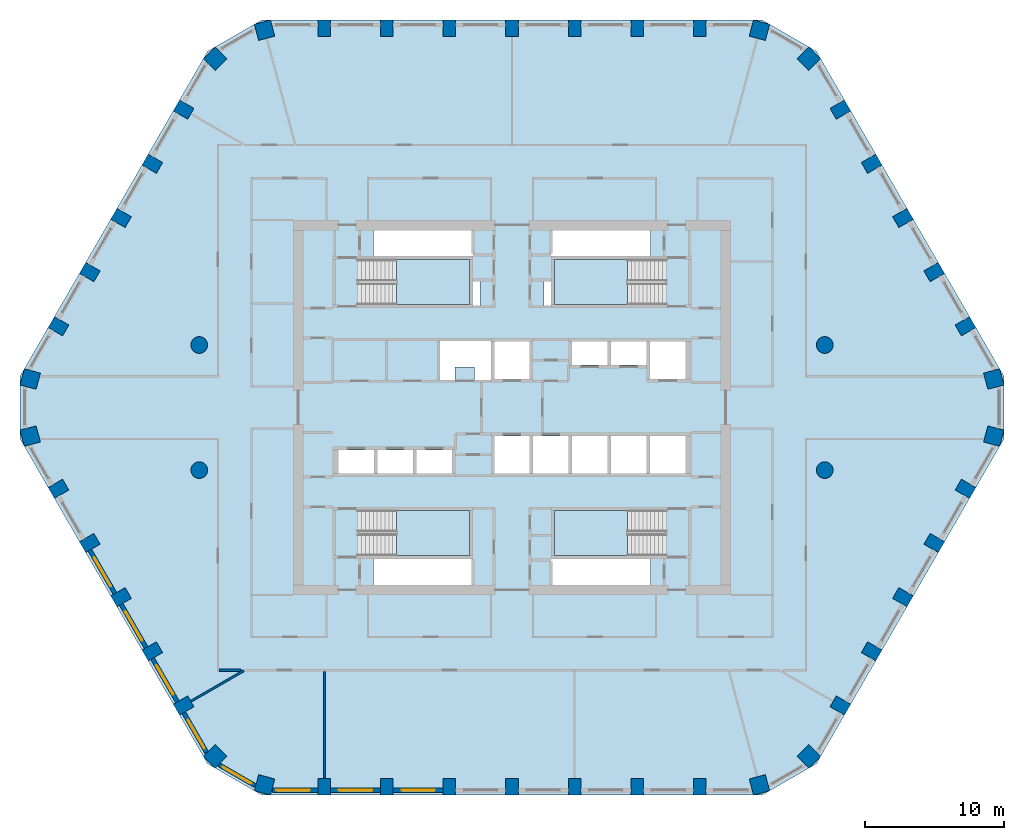
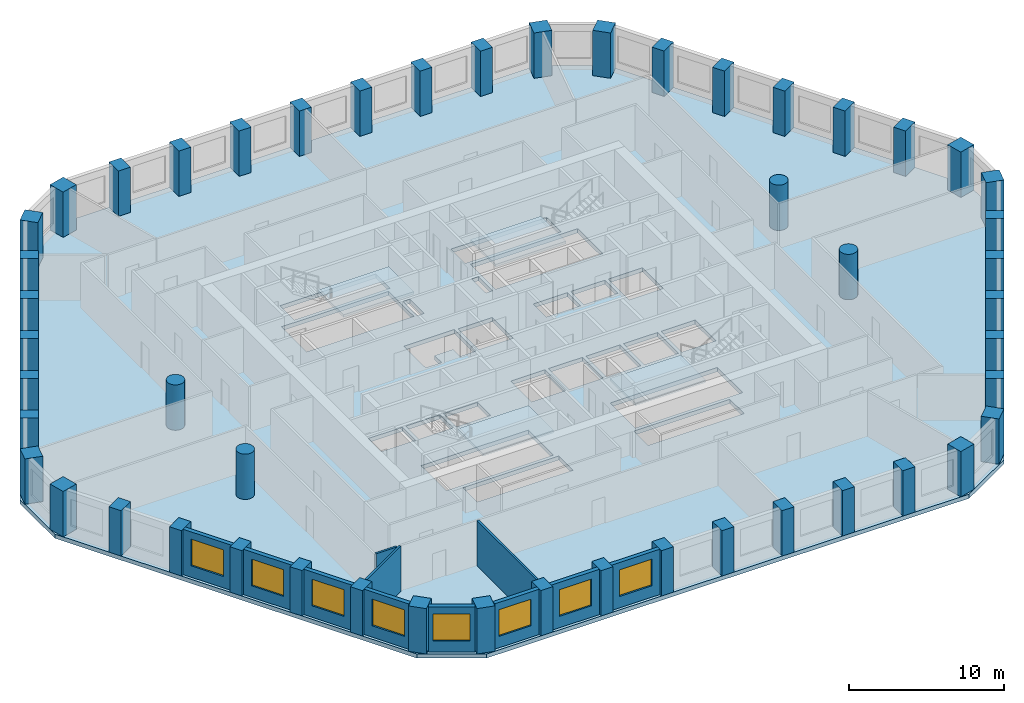
# One storey, part 1 of 10: 50 columns, 11 walls, 8 windows, 5 slabs, 8 openings, 4 elements without a shape of their own.
"""IFC4 building model written with IfcOpenShell, lengths in metres."""

from ifc_helpers import new_model, si_unit, direction, frame, frame_2d, origin, origin_2d, place, context, subcontext, project, spatial, polyline, rectangle, circle, outline, extrude, material, layer, layer_set, material_profile, profile_set, type_object, element, fill, aggregate, save


model = new_model("IFC4")

# Units and contexts
model_context = context("Model", 3, precision=1e-05, world=origin(), true_north=direction((0.0, 1.0)))
body_context = subcontext(model_context, "Body", "Model", "MODEL_VIEW")
ifc_project = project(units=[si_unit("LENGTHUNIT", "METRE"), si_unit("AREAUNIT", "SQUARE_METRE"), si_unit("VOLUMEUNIT", "CUBIC_METRE"), si_unit("PLANEANGLEUNIT", "RADIAN"), si_unit("MASSUNIT", "GRAM", prefix="KILO")], contexts=[model_context])

# Site, building, storey
site_placement = place(None, origin())
site = spatial("IfcSite", under=ifc_project, at=site_placement, CompositionType="ELEMENT")
building_placement = place(site_placement, origin())
building = spatial("IfcBuilding", under=site, at=building_placement, Name="Dhurran Vertical Campus", CompositionType="ELEMENT")
storey_placement = place(building_placement, frame((0.0, 0.0, 152.10009765625)))
storey = spatial("IfcBuildingStorey", under=building, at=storey_placement, Name="L37", CompositionType="ELEMENT", Elevation=152.10009765625)

# Columns
ifc_material_1 = material(Name="Concrete C60/75", Category="concrete")
ifc_material_profile_1 = material_profile(ifc_material_1, rectangle(XDim=1.199951171875, YDim=1.199951171875, at=origin_2d()), Name="RC 1200x1200")
ifc_profile_set_1 = profile_set([ifc_material_profile_1], Name="Concrete C60/75")
column_type_1 = type_object("IfcColumnType", Name="FR COL RC 1200x1200 C60/75", PredefinedType="COLUMN", material=ifc_profile_set_1)
for number, where, z_axis, x_axis, name in (
    (1, (-17.802978515625, -27.147705078125, 0.0), (0.0, 0.0, 1.0), (0.965925826289, -0.258819045103, 0.0), "Perimeter pier PP3.00"),
    (2, (17.802978515625, -27.147705078125, 0.0), (0.0, 0.0, 1.0), (0.965925826289, 0.258819045103, 0.0), "Perimeter pier PP3.08"),
    (3, (21.359130859375, -25.0947265625, 0.0), (0.0, 0.0, 1.0), (0.707106781187, 0.707106781187, 0.0), "Perimeter pier PP3.09"),
    (4, (34.662353515625, -2.052978515625, 0.0), (0.0, 0.0, 1.0), (0.258819045103, 0.965925826289, 0.0), "Perimeter pier PP3.15"),
    (5, (34.662353515625, 2.052978515625, 0.0), (0.0, 0.0, 1.0), (-0.258819045103, 0.965925826289, 0.0), "Perimeter pier PP3.16"),
    (6, (21.359130859375, 25.0947265625, 0.0), (0.0, 0.0, 1.0), (-0.707106781187, 0.707106781187, 0.0), "Perimeter pier PP3.22"),
    (7, (17.802978515625, 27.147705078125, 0.0), (0.0, 0.0, 1.0), (-0.965925826289, 0.258819045103, 0.0), "Perimeter pier PP3.23"),
    (8, (-17.802978515625, 27.147705078125, 0.0), (0.0, 0.0, 1.0), (-0.965925826289, -0.258819045103, 0.0), "Perimeter pier PP3.31"),
    (9, (-21.359130859375, 25.0947265625, 0.0), (0.0, 0.0, 1.0), (-0.707106781187, -0.707106781187, 0.0), "Perimeter pier PP3.32"),
    (10, (-34.662353515625, 2.052978515625, 0.0), (0.0, 0.0, 1.0), (-0.258819045103, -0.965925826289, 0.0), "Perimeter pier PP3.38"),
    (11, (-34.662353515625, -2.052978515625, 0.0), (0.0, 0.0, 1.0), (0.258819045103, -0.965925826289, 0.0), "Perimeter pier PP3.39"),
    (12, (-21.359130859375, -25.0947265625, 0.0), (0.0, 0.0, 1.0), (0.707106781187, -0.707106781187, 0.0), "Perimeter pier PP3.45"),
):
    element("IfcColumn", number, at=place(storey_placement, frame(where, z_axis=z_axis, x_axis=x_axis)), inside=storey, type_object=column_type_1, Name=name, PredefinedType="COLUMN", context=body_context, shape_type="SweptSolid", body=[
        extrude(rectangle(XDim=1.199951171875, YDim=1.199951171875, at=origin_2d()), origin(), (0.0, 0.0, 1.0), 3.574951171875),
    ])
ifc_material_2 = material(Name="Concrete C60/75", Category="concrete")
ifc_material_profile_2 = material_profile(ifc_material_2, rectangle(XDim=0.89990234375, YDim=1.199951171875, at=origin_2d()), Name="RC 900x1200")
ifc_profile_set_2 = profile_set([ifc_material_profile_2], Name="Concrete C60/75")
column_type_2 = type_object("IfcColumnType", Name="FR COL RC 900x1200 C60/75", PredefinedType="COLUMN", material=ifc_profile_set_2)
for number, where, z_axis, x_axis, name in (
    (13, (-13.5, -27.28271484375, 0.0), (0.0, 0.0, 1.0), (1.0, 0.0, 0.0), "Perimeter pier PP3.01"),
    (14, (-9.0, -27.28271484375, 0.0), (0.0, 0.0, 1.0), (1.0, 0.0, 0.0), "Perimeter pier PP3.02"),
    (15, (-4.5, -27.28271484375, 0.0), (0.0, 0.0, 1.0), (1.0, 0.0, 0.0), "Perimeter pier PP3.03"),
    (16, (0.0, -27.28271484375, 0.0), (0.0, 0.0, 1.0), (1.0, 0.0, 0.0), "Perimeter pier PP3.04"),
    (17, (4.5, -27.28271484375, 0.0), (0.0, 0.0, 1.0), (1.0, 0.0, 0.0), "Perimeter pier PP3.05"),
    (18, (9.0, -27.28271484375, 0.0), (0.0, 0.0, 1.0), (1.0, 0.0, 0.0), "Perimeter pier PP3.06"),
    (19, (13.5, -27.28271484375, 0.0), (0.0, 0.0, 1.0), (1.0, 0.0, 0.0), "Perimeter pier PP3.07"),
    (20, (23.62744140625, -21.435546875, 0.0), (0.0, 0.0, 1.0), (0.5, 0.866025403784, 0.0), "Perimeter pier PP3.10"),
    (21, (25.87744140625, -17.53857421875, 0.0), (0.0, 0.0, 1.0), (0.5, 0.866025403784, 0.0), "Perimeter pier PP3.11"),
    (22, (28.12744140625, -13.641357421875, 0.0), (0.0, 0.0, 1.0), (0.5, 0.866025403784, 0.0), "Perimeter pier PP3.12"),
    (23, (30.37744140625, -9.744140625, 0.0), (0.0, 0.0, 1.0), (0.5, 0.866025403784, 0.0), "Perimeter pier PP3.13"),
    (24, (32.62744140625, -5.84716796875, 0.0), (0.0, 0.0, 1.0), (0.5, 0.866025403784, 0.0), "Perimeter pier PP3.14"),
    (25, (32.62744140625, 5.84716796875, 0.0), (0.0, 0.0, 1.0), (-0.5, 0.866025403784, 0.0), "Perimeter pier PP3.17"),
    (26, (30.37744140625, 9.744140625, 0.0), (0.0, 0.0, 1.0), (-0.5, 0.866025403784, 0.0), "Perimeter pier PP3.18"),
    (27, (28.12744140625, 13.641357421875, 0.0), (0.0, 0.0, 1.0), (-0.5, 0.866025403784, 0.0), "Perimeter pier PP3.19"),
    (28, (25.87744140625, 17.53857421875, 0.0), (0.0, 0.0, 1.0), (-0.5, 0.866025403784, 0.0), "Perimeter pier PP3.20"),
    (29, (23.62744140625, 21.435546875, 0.0), (0.0, 0.0, 1.0), (-0.5, 0.866025403784, 0.0), "Perimeter pier PP3.21"),
    (30, (13.5, 27.28271484375, 0.0), (0.0, 0.0, 1.0), (-1.0, 0.0, 0.0), "Perimeter pier PP3.24"),
    (31, (9.0, 27.28271484375, 0.0), (0.0, 0.0, 1.0), (-1.0, 0.0, 0.0), "Perimeter pier PP3.25"),
    (32, (4.5, 27.28271484375, 0.0), (0.0, 0.0, 1.0), (-1.0, 0.0, 0.0), "Perimeter pier PP3.26"),
    (33, (0.0, 27.28271484375, 0.0), (0.0, 0.0, 1.0), (-1.0, 0.0, 0.0), "Perimeter pier PP3.27"),
    (34, (-4.5, 27.28271484375, 0.0), (0.0, 0.0, 1.0), (-1.0, 0.0, 0.0), "Perimeter pier PP3.28"),
    (35, (-9.0, 27.28271484375, 0.0), (0.0, 0.0, 1.0), (-1.0, 0.0, 0.0), "Perimeter pier PP3.29"),
    (36, (-13.5, 27.28271484375, 0.0), (0.0, 0.0, 1.0), (-1.0, 0.0, 0.0), "Perimeter pier PP3.30"),
    (37, (-23.62744140625, 21.435546875, 0.0), (0.0, 0.0, 1.0), (-0.5, -0.866025403784, 0.0), "Perimeter pier PP3.33"),
    (38, (-25.87744140625, 17.53857421875, 0.0), (0.0, 0.0, 1.0), (-0.5, -0.866025403784, 0.0), "Perimeter pier PP3.34"),
    (39, (-28.12744140625, 13.641357421875, 0.0), (0.0, 0.0, 1.0), (-0.5, -0.866025403784, 0.0), "Perimeter pier PP3.35"),
    (40, (-30.37744140625, 9.744140625, 0.0), (0.0, 0.0, 1.0), (-0.5, -0.866025403784, 0.0), "Perimeter pier PP3.36"),
    (41, (-32.62744140625, 5.84716796875, 0.0), (0.0, 0.0, 1.0), (-0.5, -0.866025403784, 0.0), "Perimeter pier PP3.37"),
    (42, (-32.62744140625, -5.84716796875, 0.0), (0.0, 0.0, 1.0), (0.5, -0.866025403784, 0.0), "Perimeter pier PP3.40"),
    (43, (-30.37744140625, -9.744140625, 0.0), (0.0, 0.0, 1.0), (0.5, -0.866025403784, 0.0), "Perimeter pier PP3.41"),
    (44, (-28.12744140625, -13.641357421875, 0.0), (0.0, 0.0, 1.0), (0.5, -0.866025403784, 0.0), "Perimeter pier PP3.42"),
    (45, (-25.87744140625, -17.53857421875, 0.0), (0.0, 0.0, 1.0), (0.5, -0.866025403784, 0.0), "Perimeter pier PP3.43"),
    (46, (-23.62744140625, -21.435546875, 0.0), (0.0, 0.0, 1.0), (0.5, -0.866025403784, 0.0), "Perimeter pier PP3.44"),
):
    element("IfcColumn", number, at=place(storey_placement, frame(where, z_axis=z_axis, x_axis=x_axis)), inside=storey, type_object=column_type_2, Name=name, PredefinedType="COLUMN", context=body_context, shape_type="SweptSolid", body=[
        extrude(rectangle(XDim=0.89990234375, YDim=1.199951171875, at=origin_2d()), origin(), (0.0, 0.0, 1.0), 3.574951171875),
    ])
ifc_material_3 = material(Name="Concrete C60/75", Category="concrete")
ifc_material_profile_3 = material_profile(ifc_material_3, circle(Radius=0.60009765625, at=origin_2d()), Name="RCC D1200")
ifc_profile_set_3 = profile_set([ifc_material_profile_3], Name="Concrete C60/75")
column_type_3 = type_object("IfcColumnType", Name="FR COL RCC D1200 C60/75", PredefinedType="COLUMN", material=ifc_profile_set_3)
for number, where, z_axis, x_axis, name in (
    (47, (-22.5, -4.5, 0.0), (0.0, 0.0, 1.0), (1.0, 0.0, 0.0), "Inner column IC3-D5"),
    (48, (-22.5, 4.5, 0.0), (0.0, 0.0, 1.0), (1.0, 0.0, 0.0), "Inner column IC3-D6"),
    (49, (22.5, -4.5, 0.0), (0.0, 0.0, 1.0), (1.0, 0.0, 0.0), "Inner column IC3-J5"),
    (50, (22.5, 4.5, 0.0), (0.0, 0.0, 1.0), (1.0, 0.0, 0.0), "Inner column IC3-J6"),
):
    element("IfcColumn", number, at=place(storey_placement, frame(where, z_axis=z_axis, x_axis=x_axis)), inside=storey, type_object=column_type_3, Name=name, PredefinedType="COLUMN", context=body_context, shape_type="SweptSolid", body=[
        extrude(circle(Radius=0.60009765625, at=origin_2d()), origin(), (0.0, 0.0, 1.0), 3.574951171875),
    ])

# Slab
ifc_material_4 = material(Name="Concrete C40/50", Category="concrete")
ifc_layer_1 = layer(ifc_material_4, 0.324951171875)
ifc_layer_set_1 = layer_set([ifc_layer_1], Name="Concrete C40/50")
slab_type_1 = type_object("IfcSlabType", Name="FR POST-TENSIONED FLAT SLAB 325", PredefinedType="FLOOR", material=ifc_layer_set_1)
slab_1_placement = place(storey_placement, frame((0.0, 0.0, -0.3251953125)))
element("IfcSlab", 51, at=slab_1_placement, inside=storey, type_object=slab_type_1, Name="Floor slab L37", PredefinedType="FLOOR", context=body_context, shape_type="SweptSolid", body=[
    extrude(outline(polyline([(-18.0, -27.8828125), (18.0, -27.8828125), (21.897216796875, -25.6328125), (35.397216796875, -2.25), (35.397216796875, 2.25), (21.897216796875, 25.6328125), (18.0, 27.8828125), (-18.0, 27.8828125), (-21.897216796875, 25.6328125), (-35.397216796875, 2.25), (-35.397216796875, -2.25), (-21.897216796875, -25.6328125), (-18.0, -27.8828125)]), holes=[polyline([(-1.27490234375, 2.050048828125), (1.27490234375, 2.050048828125), (1.27490234375, 4.75), (-1.27490234375, 4.75), (-1.27490234375, 2.050048828125)]), polyline([(9.925048828125, 2.050048828125), (12.47509765625, 2.050048828125), (12.47509765625, 4.75), (9.925048828125, 4.75), (9.925048828125, 2.050048828125)]), polyline([(-1.27490234375, -4.75), (1.27490234375, -4.75), (1.27490234375, -2.050048828125), (-1.27490234375, -2.050048828125), (-1.27490234375, -4.75)]), polyline([(1.52490234375, -4.75), (4.074951171875, -4.75), (4.074951171875, -2.050048828125), (1.52490234375, -2.050048828125), (1.52490234375, -4.75)]), polyline([(4.324951171875, -4.75), (6.875, -4.75), (6.875, -2.050048828125), (4.324951171875, -2.050048828125), (4.324951171875, -4.75)]), polyline([(7.125, -4.75), (9.675048828125, -4.75), (9.675048828125, -2.050048828125), (7.125, -2.050048828125), (7.125, -4.75)]), polyline([(9.925048828125, -4.75), (12.47509765625, -4.75), (12.47509765625, -2.050048828125), (9.925048828125, -2.050048828125), (9.925048828125, -4.75)]), polyline([(4.324951171875, 3.050048828125), (6.875, 3.050048828125), (6.875, 4.75), (4.324951171875, 4.75), (4.324951171875, 3.050048828125)]), polyline([(7.125, 3.050048828125), (9.675048828125, 3.050048828125), (9.675048828125, 4.75), (7.125, 4.75), (7.125, 3.050048828125)]), polyline([(-12.47509765625, -4.75), (-9.925048828125, -4.75), (-9.925048828125, -3.050048828125), (-12.47509765625, -3.050048828125), (-12.47509765625, -4.75)]), polyline([(-9.675048828125, -4.75), (-7.125, -4.75), (-7.125, -3.050048828125), (-9.675048828125, -3.050048828125), (-9.675048828125, -4.75)]), polyline([(-6.875, -4.75), (-4.324951171875, -4.75), (-4.324951171875, -3.050048828125), (-6.875, -3.050048828125), (-6.875, -4.75)]), polyline([(-11.050048828125, 7.39990234375), (-3.050048828125, 7.39990234375), (-3.050048828125, 10.64990234375), (-11.050048828125, 10.64990234375), (-11.050048828125, 7.39990234375)]), polyline([(3.050048828125, 7.39990234375), (11.050048828125, 7.39990234375), (11.050048828125, 10.64990234375), (3.050048828125, 10.64990234375), (3.050048828125, 7.39990234375)]), polyline([(-11.050048828125, -10.64990234375), (-3.050048828125, -10.64990234375), (-3.050048828125, -7.39990234375), (-11.050048828125, -7.39990234375), (-11.050048828125, -10.64990234375)]), polyline([(3.050048828125, -10.64990234375), (11.050048828125, -10.64990234375), (11.050048828125, -7.39990234375), (3.050048828125, -7.39990234375), (3.050048828125, -10.64990234375)]), polyline([(-9.949951171875, 10.89990234375), (-9.949951171875, 12.75), (-2.800048828125, 12.75), (-2.800048828125, 10.89990234375), (-9.949951171875, 10.89990234375)]), polyline([(9.949951171875, 12.75), (9.949951171875, 10.89990234375), (2.800048828125, 10.89990234375), (2.800048828125, 12.75), (9.949951171875, 12.75)]), polyline([(-9.949951171875, -12.75), (-9.949951171875, -10.89990234375), (-2.800048828125, -10.89990234375), (-2.800048828125, -12.75), (-9.949951171875, -12.75)]), polyline([(9.949951171875, -10.89990234375), (9.949951171875, -12.75), (2.800048828125, -12.75), (2.800048828125, -10.89990234375), (9.949951171875, -10.89990234375)]), polyline([(-2.300048828125, 9.18603515625), (-2.300048828125, 7.35009765625), (-2.800048828125, 7.35009765625), (-2.800048828125, 9.18603515625), (-2.300048828125, 9.18603515625)]), polyline([(2.300048828125, 7.35009765625), (2.300048828125, 9.18603515625), (2.800048828125, 9.18603515625), (2.800048828125, 7.35009765625), (2.300048828125, 7.35009765625)]), polyline([(-1.52490234375, 4.800048828125), (-1.52490234375, 2.0), (-2.701904296875, 2.0), (-2.701904296875, 2.89990234375), (-4.101806640625, 2.89990234375), (-4.101806640625, 2.0), (-5.27880859375, 2.0), (-5.27880859375, 4.800048828125), (-1.52490234375, 4.800048828125)])]), origin(), (0.0, 0.0, 1.0), 0.3251953125),
])

# Stair, slab
ifc_material_5 = material(Name="Concrete C40/50", Category="concrete")
stair_type = type_object("IfcStairType", Name="co-ST-CORE", PredefinedType="HALF_TURN_STAIR", material=ifc_material_5)
stair_1_placement = place(storey_placement, origin())
stair_1 = element("IfcStair", 52, at=stair_1_placement, inside=storey, type_object=stair_type, Name="L37 Protected exit stair ST1", PredefinedType="HALF_TURN_STAIR")
ifc_material_6 = material(Name="Concrete C40/50", Category="concrete")
ifc_layer_2 = layer(ifc_material_6, 0.199951171875)
ifc_layer_set_2 = layer_set([ifc_layer_2], Name="Concrete C40/50")
slab_type_2 = type_object("IfcSlabType", Name="co-SL-LANDING", PredefinedType="LANDING", material=ifc_layer_set_2)
slab_2_placement = place(storey_placement, frame((0.0, 0.0, 1.75)))
slab_2 = element("IfcSlab", 53, at=slab_2_placement, type_object=slab_type_2, Name="ST1 landing 1", PredefinedType="LANDING", context=body_context, shape_type="SweptSolid", body=[
    extrude(outline(polyline([(-8.300048828125, 7.39990234375), (-3.050048828125, 7.39990234375), (-3.050048828125, 10.64990234375), (-8.300048828125, 10.64990234375), (-8.300048828125, 7.39990234375)])), origin(), (0.0, 0.0, 1.0), 0.199951171875),
])
aggregate(stair_1, [slab_2])

stair_2_placement = place(storey_placement, origin())
stair_2 = element("IfcStair", 54, at=stair_2_placement, inside=storey, type_object=stair_type, Name="L37 Protected exit stair ST2", PredefinedType="HALF_TURN_STAIR")
slab_3_placement = place(storey_placement, frame((0.0, 0.0, 1.75)))
slab_3 = element("IfcSlab", 55, at=slab_3_placement, type_object=slab_type_2, Name="ST2 landing 1", PredefinedType="LANDING", context=body_context, shape_type="SweptSolid", body=[
    extrude(outline(polyline([(8.300048828125, 10.64990234375), (3.050048828125, 10.64990234375), (3.050048828125, 7.39990234375), (8.300048828125, 7.39990234375), (8.300048828125, 10.64990234375)])), origin(), (0.0, 0.0, 1.0), 0.199951171875),
])
aggregate(stair_2, [slab_3])

stair_3_placement = place(storey_placement, origin())
stair_3 = element("IfcStair", 56, at=stair_3_placement, inside=storey, type_object=stair_type, Name="L37 Protected exit stair ST3", PredefinedType="HALF_TURN_STAIR")
slab_4_placement = place(storey_placement, frame((0.0, 0.0, 1.75)))
slab_4 = element("IfcSlab", 57, at=slab_4_placement, type_object=slab_type_2, Name="ST3 landing 1", PredefinedType="LANDING", context=body_context, shape_type="SweptSolid", body=[
    extrude(outline(polyline([(-8.300048828125, -10.64990234375), (-3.050048828125, -10.64990234375), (-3.050048828125, -7.39990234375), (-8.300048828125, -7.39990234375), (-8.300048828125, -10.64990234375)])), origin(), (0.0, 0.0, 1.0), 0.199951171875),
])
aggregate(stair_3, [slab_4])

stair_4_placement = place(storey_placement, origin())
stair_4 = element("IfcStair", 58, at=stair_4_placement, inside=storey, type_object=stair_type, Name="L37 Protected exit stair ST4", PredefinedType="HALF_TURN_STAIR")
slab_5_placement = place(storey_placement, frame((0.0, 0.0, 1.75)))
slab_5 = element("IfcSlab", 59, at=slab_5_placement, type_object=slab_type_2, Name="ST4 landing 1", PredefinedType="LANDING", context=body_context, shape_type="SweptSolid", body=[
    extrude(outline(polyline([(8.300048828125, -7.39990234375), (3.050048828125, -7.39990234375), (3.050048828125, -10.64990234375), (8.300048828125, -10.64990234375), (8.300048828125, -7.39990234375)])), origin(), (0.0, 0.0, 1.0), 0.199951171875),
])
aggregate(stair_4, [slab_5])

# Wall, opening, window
ifc_material_7 = material(Name="Precast concrete C50/60", Category="concrete")
ifc_layer_3 = layer(ifc_material_7, 0.300048828125)
ifc_layer_set_3 = layer_set([ifc_layer_3], Name="Precast concrete C50/60")
wall_type_1 = type_object("IfcWallType", Name="Precast spandrel wall 300", PredefinedType="SOLIDWALL", material=ifc_layer_set_3)
wall_1_placement = place(storey_placement, frame((-17.24462890625, -27.53271484375, 0.0), z_axis=(0.0, 0.0, 1.0), x_axis=(1.0, 0.0, 0.0)))
wall_1 = element("IfcWall", 60, at=wall_1_placement, inside=storey, type_object=wall_type_1, Name="EW1 L37.00", PredefinedType="SOLIDWALL", context=body_context, shape_type="SweptSolid", body=[
    extrude(rectangle(XDim=3.294189453125, YDim=0.300048828125, at=frame_2d((1.64697265625, 0.0))), origin(), (0.0, 0.0, 1.0), 3.574951171875),
])
opening_1_placement = place(wall_1_placement, frame((0.294677734375, 0.0, 0.89990234375)))
opening_1 = element("IfcOpeningElement", 61, at=opening_1_placement, cuts=wall_1, Name="Opening WT1", PredefinedType="OPENING", context=body_context, shape_type="SweptSolid", body=[
    extrude(rectangle(XDim=2.39990234375, YDim=2.10009765625, at=frame_2d((1.199951171875, 1.050048828125))), frame((0.0, 0.159912109375, 0.0), z_axis=(0.0, -1.0, 0.0), x_axis=(1.0, 0.0, 0.0)), (0.0, 0.0, 1.0), 0.320068359375),
])
ifc_material_8 = material(Name="Aluminium frame with solar-control glass", Category="aluminium")
window_type = type_object("IfcWindowType", Name="Punched window 2400 x 2100", PartitioningType="SINGLE_PANEL", PredefinedType="WINDOW", material=ifc_material_8)
window_1_placement = place(opening_1_placement, origin())
window_1 = element("IfcWindow", 62, at=window_1_placement, inside=storey, type_object=window_type, Name="WT1 L37.00", OverallHeight=2.10009765625, OverallWidth=2.39990234375, PartitioningType="SINGLE_PANEL", PredefinedType="WINDOW", context=body_context, shape_type="SweptSolid", body=[
    extrude(rectangle(XDim=2.39990234375, YDim=2.10009765625, at=frame_2d((1.199951171875, 1.050048828125))), frame((0.0, 0.030029296875, 0.0), z_axis=(0.0, -1.0, 0.0), x_axis=(1.0, 0.0, 0.0)), (0.0, 0.0, 1.0), 0.06005859375),
])
fill(opening_1, window_1)

wall_2_placement = place(storey_placement, frame((-13.049560546875, -27.53271484375, 0.0), z_axis=(0.0, 0.0, 1.0), x_axis=(1.0, 0.0, 0.0)))
wall_2 = element("IfcWall", 63, at=wall_2_placement, inside=storey, type_object=wall_type_1, Name="EW1 L37.01", PredefinedType="SOLIDWALL", context=body_context, shape_type="SweptSolid", body=[
    extrude(rectangle(XDim=3.59912109375, YDim=0.300048828125, at=frame_2d((1.799560546875, 0.0))), origin(), (0.0, 0.0, 1.0), 3.574951171875),
])
opening_2_placement = place(wall_2_placement, frame((0.599609375, 0.0, 0.89990234375)))
opening_2 = element("IfcOpeningElement", 64, at=opening_2_placement, cuts=wall_2, Name="Opening WT1", PredefinedType="OPENING", context=body_context, shape_type="SweptSolid", body=[
    extrude(rectangle(XDim=2.39990234375, YDim=2.10009765625, at=frame_2d((1.199951171875, 1.050048828125))), frame((0.0, 0.159912109375, 0.0), z_axis=(0.0, -1.0, 0.0), x_axis=(1.0, 0.0, 0.0)), (0.0, 0.0, 1.0), 0.320068359375),
])
window_2_placement = place(opening_2_placement, origin())
window_2 = element("IfcWindow", 65, at=window_2_placement, inside=storey, type_object=window_type, Name="WT1 L37.01", OverallHeight=2.10009765625, OverallWidth=2.39990234375, PartitioningType="SINGLE_PANEL", PredefinedType="WINDOW", context=body_context, shape_type="SweptSolid", body=[
    extrude(rectangle(XDim=2.39990234375, YDim=2.10009765625, at=frame_2d((1.199951171875, 1.050048828125))), frame((0.0, 0.030029296875, 0.0), z_axis=(0.0, -1.0, 0.0), x_axis=(1.0, 0.0, 0.0)), (0.0, 0.0, 1.0), 0.06005859375),
])
fill(opening_2, window_2)

wall_3_placement = place(storey_placement, frame((-8.549560546875, -27.53271484375, 0.0), z_axis=(0.0, 0.0, 1.0), x_axis=(1.0, 0.0, 0.0)))
wall_3 = element("IfcWall", 66, at=wall_3_placement, inside=storey, type_object=wall_type_1, Name="EW1 L37.02", PredefinedType="SOLIDWALL", context=body_context, shape_type="SweptSolid", body=[
    extrude(rectangle(XDim=3.59912109375, YDim=0.300048828125, at=frame_2d((1.799560546875, 0.0))), origin(), (0.0, 0.0, 1.0), 3.574951171875),
])
opening_3_placement = place(wall_3_placement, frame((0.599609375, 0.0, 0.89990234375)))
opening_3 = element("IfcOpeningElement", 67, at=opening_3_placement, cuts=wall_3, Name="Opening WT1", PredefinedType="OPENING", context=body_context, shape_type="SweptSolid", body=[
    extrude(rectangle(XDim=2.39990234375, YDim=2.10009765625, at=frame_2d((1.199951171875, 1.050048828125))), frame((0.0, 0.159912109375, 0.0), z_axis=(0.0, -1.0, 0.0), x_axis=(1.0, 0.0, 0.0)), (0.0, 0.0, 1.0), 0.320068359375),
])
window_3_placement = place(opening_3_placement, origin())
window_3 = element("IfcWindow", 68, at=window_3_placement, inside=storey, type_object=window_type, Name="WT1 L37.02", OverallHeight=2.10009765625, OverallWidth=2.39990234375, PartitioningType="SINGLE_PANEL", PredefinedType="WINDOW", context=body_context, shape_type="SweptSolid", body=[
    extrude(rectangle(XDim=2.39990234375, YDim=2.10009765625, at=frame_2d((1.199951171875, 1.050048828125))), frame((0.0, 0.030029296875, 0.0), z_axis=(0.0, -1.0, 0.0), x_axis=(1.0, 0.0, 0.0)), (0.0, 0.0, 1.0), 0.06005859375),
])
fill(opening_3, window_3)

wall_4_placement = place(storey_placement, frame((-30.368896484375, -10.259521484375, 0.0), z_axis=(0.0, 0.0, 1.0), x_axis=(0.500027802648, -0.866009351323, 0.0)))
wall_4 = element("IfcWall", 69, at=wall_4_placement, inside=storey, type_object=wall_type_1, Name="EW1 L37.41", PredefinedType="SOLIDWALL", context=body_context, shape_type="SweptSolid", body=[
    extrude(rectangle(XDim=3.598876953125, YDim=0.300048828125, at=frame_2d((1.79931640625, 0.0))), origin(), (0.0, 0.0, 1.0), 3.574951171875),
])
opening_4_placement = place(wall_4_placement, frame((0.599609375, 0.0, 0.89990234375)))
opening_4 = element("IfcOpeningElement", 70, at=opening_4_placement, cuts=wall_4, Name="Opening WT1", PredefinedType="OPENING", context=body_context, shape_type="SweptSolid", body=[
    extrude(rectangle(XDim=2.39990234375, YDim=2.10009765625, at=frame_2d((1.199951171875, 1.050048828125))), frame((0.0, 0.159912109375, 0.0), z_axis=(0.0, -1.0, 0.0), x_axis=(1.0, 0.0, 0.0)), (0.0, 0.0, 1.0), 0.320068359375),
])
window_4_placement = place(opening_4_placement, origin())
window_4 = element("IfcWindow", 71, at=window_4_placement, inside=storey, type_object=window_type, Name="WT1 L37.41", OverallHeight=2.10009765625, OverallWidth=2.39990234375, PartitioningType="SINGLE_PANEL", PredefinedType="WINDOW", context=body_context, shape_type="SweptSolid", body=[
    extrude(rectangle(XDim=2.39990234375, YDim=2.10009765625, at=frame_2d((1.199951171875, 1.050048828125))), frame((0.0, 0.030029296875, 0.0), z_axis=(0.0, -1.0, 0.0), x_axis=(1.0, 0.0, 0.0)), (0.0, 0.0, 1.0), 0.06005859375),
])
fill(opening_4, window_4)

wall_5_placement = place(storey_placement, frame((-28.118896484375, -14.156494140625, 0.0), z_axis=(0.0, 0.0, 1.0), x_axis=(0.500027802648, -0.866009351323, 0.0)))
wall_5 = element("IfcWall", 72, at=wall_5_placement, inside=storey, type_object=wall_type_1, Name="EW1 L37.42", PredefinedType="SOLIDWALL", context=body_context, shape_type="SweptSolid", body=[
    extrude(rectangle(XDim=3.598876953125, YDim=0.300048828125, at=frame_2d((1.79931640625, 0.0))), origin(), (0.0, 0.0, 1.0), 3.574951171875),
])
opening_5_placement = place(wall_5_placement, frame((0.599609375, 0.0, 0.89990234375)))
opening_5 = element("IfcOpeningElement", 73, at=opening_5_placement, cuts=wall_5, Name="Opening WT1", PredefinedType="OPENING", context=body_context, shape_type="SweptSolid", body=[
    extrude(rectangle(XDim=2.39990234375, YDim=2.10009765625, at=frame_2d((1.199951171875, 1.050048828125))), frame((0.0, 0.159912109375, 0.0), z_axis=(0.0, -1.0, 0.0), x_axis=(1.0, 0.0, 0.0)), (0.0, 0.0, 1.0), 0.320068359375),
])
window_5_placement = place(opening_5_placement, origin())
window_5 = element("IfcWindow", 74, at=window_5_placement, inside=storey, type_object=window_type, Name="WT1 L37.42", OverallHeight=2.10009765625, OverallWidth=2.39990234375, PartitioningType="SINGLE_PANEL", PredefinedType="WINDOW", context=body_context, shape_type="SweptSolid", body=[
    extrude(rectangle(XDim=2.39990234375, YDim=2.10009765625, at=frame_2d((1.199951171875, 1.050048828125))), frame((0.0, 0.030029296875, 0.0), z_axis=(0.0, -1.0, 0.0), x_axis=(1.0, 0.0, 0.0)), (0.0, 0.0, 1.0), 0.06005859375),
])
fill(opening_5, window_5)

wall_6_placement = place(storey_placement, frame((-25.868896484375, -18.0537109375, 0.0), z_axis=(0.0, 0.0, 1.0), x_axis=(0.500027802648, -0.866009351323, 0.0)))
wall_6 = element("IfcWall", 75, at=wall_6_placement, inside=storey, type_object=wall_type_1, Name="EW1 L37.43", PredefinedType="SOLIDWALL", context=body_context, shape_type="SweptSolid", body=[
    extrude(rectangle(XDim=3.598876953125, YDim=0.300048828125, at=frame_2d((1.79931640625, 0.0))), origin(), (0.0, 0.0, 1.0), 3.574951171875),
])
opening_6_placement = place(wall_6_placement, frame((0.599609375, 0.0, 0.89990234375)))
opening_6 = element("IfcOpeningElement", 76, at=opening_6_placement, cuts=wall_6, Name="Opening WT1", PredefinedType="OPENING", context=body_context, shape_type="SweptSolid", body=[
    extrude(rectangle(XDim=2.39990234375, YDim=2.10009765625, at=frame_2d((1.199951171875, 1.050048828125))), frame((0.0, 0.159912109375, 0.0), z_axis=(0.0, -1.0, 0.0), x_axis=(1.0, 0.0, 0.0)), (0.0, 0.0, 1.0), 0.320068359375),
])
window_6_placement = place(opening_6_placement, origin())
window_6 = element("IfcWindow", 77, at=window_6_placement, inside=storey, type_object=window_type, Name="WT1 L37.43", OverallHeight=2.10009765625, OverallWidth=2.39990234375, PartitioningType="SINGLE_PANEL", PredefinedType="WINDOW", context=body_context, shape_type="SweptSolid", body=[
    extrude(rectangle(XDim=2.39990234375, YDim=2.10009765625, at=frame_2d((1.199951171875, 1.050048828125))), frame((0.0, 0.030029296875, 0.0), z_axis=(0.0, -1.0, 0.0), x_axis=(1.0, 0.0, 0.0)), (0.0, 0.0, 1.0), 0.06005859375),
])
fill(opening_6, window_6)

wall_7_placement = place(storey_placement, frame((-23.618896484375, -21.95068359375, 0.0), z_axis=(0.0, 0.0, 1.0), x_axis=(0.500036802197, -0.866004154983, 0.0)))
wall_7 = element("IfcWall", 78, at=wall_7_placement, inside=storey, type_object=wall_type_1, Name="EW1 L37.44", PredefinedType="SOLIDWALL", context=body_context, shape_type="SweptSolid", body=[
    extrude(rectangle(XDim=3.294189453125, YDim=0.300048828125, at=frame_2d((1.64697265625, 0.0))), origin(), (0.0, 0.0, 1.0), 3.574951171875),
])
opening_7_placement = place(wall_7_placement, frame((0.599609375, 0.0, 0.89990234375)))
opening_7 = element("IfcOpeningElement", 79, at=opening_7_placement, cuts=wall_7, Name="Opening WT1", PredefinedType="OPENING", context=body_context, shape_type="SweptSolid", body=[
    extrude(rectangle(XDim=2.39990234375, YDim=2.10009765625, at=frame_2d((1.199951171875, 1.050048828125))), frame((0.0, 0.159912109375, 0.0), z_axis=(0.0, -1.0, 0.0), x_axis=(1.0, 0.0, 0.0)), (0.0, 0.0, 1.0), 0.320068359375),
])
window_7_placement = place(opening_7_placement, origin())
window_7 = element("IfcWindow", 80, at=window_7_placement, inside=storey, type_object=window_type, Name="WT1 L37.44", OverallHeight=2.10009765625, OverallWidth=2.39990234375, PartitioningType="SINGLE_PANEL", PredefinedType="WINDOW", context=body_context, shape_type="SweptSolid", body=[
    extrude(rectangle(XDim=2.39990234375, YDim=2.10009765625, at=frame_2d((1.199951171875, 1.050048828125))), frame((0.0, 0.030029296875, 0.0), z_axis=(0.0, -1.0, 0.0), x_axis=(1.0, 0.0, 0.0)), (0.0, 0.0, 1.0), 0.06005859375),
])
fill(opening_7, window_7)

wall_8_placement = place(storey_placement, frame((-21.06787109375, -25.707275390625, 0.0), z_axis=(0.0, 0.0, 1.0), x_axis=(0.866012844897, -0.500021752, 0.0)))
wall_8 = element("IfcWall", 81, at=wall_8_placement, inside=storey, type_object=wall_type_1, Name="EW1 L37.45", PredefinedType="SOLIDWALL", context=body_context, shape_type="SweptSolid", body=[
    extrude(rectangle(XDim=2.989013671875, YDim=0.300048828125, at=frame_2d((1.49462890625, 0.0))), origin(), (0.0, 0.0, 1.0), 3.574951171875),
])
opening_8_placement = place(wall_8_placement, frame((0.294677734375, 0.0, 0.89990234375)))
opening_8 = element("IfcOpeningElement", 82, at=opening_8_placement, cuts=wall_8, Name="Opening WT1", PredefinedType="OPENING", context=body_context, shape_type="SweptSolid", body=[
    extrude(rectangle(XDim=2.39990234375, YDim=2.10009765625, at=frame_2d((1.199951171875, 1.050048828125))), frame((0.0, 0.159912109375, 0.0), z_axis=(0.0, -1.0, 0.0), x_axis=(1.0, 0.0, 0.0)), (0.0, 0.0, 1.0), 0.320068359375),
])
window_8_placement = place(opening_8_placement, origin())
window_8 = element("IfcWindow", 83, at=window_8_placement, inside=storey, type_object=window_type, Name="WT1 L37.45", OverallHeight=2.10009765625, OverallWidth=2.39990234375, PartitioningType="SINGLE_PANEL", PredefinedType="WINDOW", context=body_context, shape_type="SweptSolid", body=[
    extrude(rectangle(XDim=2.39990234375, YDim=2.10009765625, at=frame_2d((1.199951171875, 1.050048828125))), frame((0.0, 0.030029296875, 0.0), z_axis=(0.0, -1.0, 0.0), x_axis=(1.0, 0.0, 0.0)), (0.0, 0.0, 1.0), 0.06005859375),
])
fill(opening_8, window_8)

# Walls
ifc_material_9 = material(Name="Gypsum board corridor wall on steel studs", Category="steel")
ifc_layer_4 = layer(ifc_material_9, 0.14990234375)
ifc_layer_set_4 = layer_set([ifc_layer_4], Name="Gypsum board corridor wall on steel studs")
wall_type_2 = type_object("IfcWallType", Name="fl-CW-150 corridor wall", PredefinedType="PARTITIONING", material=ifc_layer_set_4)
wall_9_placement = place(storey_placement, frame((-21.074951171875, -18.89990234375, 0.0), z_axis=(0.0, 0.0, 1.0), x_axis=(1.0, 0.0, 0.0)))
element("IfcWall", 84, at=wall_9_placement, inside=storey, type_object=wall_type_2, Name="Partition 37-06", PredefinedType="PARTITIONING", context=body_context, shape_type="SweptSolid", body=[
    extrude(rectangle(XDim=1.56396484375, YDim=0.14990234375, at=frame_2d((0.781982421875, 0.0))), origin(), (0.0, 0.0, 1.0), 3.574951171875),
])
ifc_material_10 = material(Name="Folding acoustic partition panels")
ifc_layer_5 = layer(ifc_material_10, 0.14990234375)
ifc_layer_set_5 = layer_set([ifc_layer_5], Name="Folding acoustic partition panels")
wall_type_3 = type_object("IfcWallType", Name="fl-MW-150 movable partition", PredefinedType="MOVABLE", material=ifc_layer_set_5)
wall_10_placement = place(storey_placement, frame((-19.30078125, -18.9375, 0.0), z_axis=(0.0, 0.0, 1.0), x_axis=(-0.865968165673, -0.500099126214, 0.0)))
element("IfcWall", 85, at=wall_10_placement, inside=storey, type_object=wall_type_3, Name="Partition 37-03", PredefinedType="MOVABLE", context=body_context, shape_type="SweptSolid", body=[
    extrude(rectangle(XDim=4.3759765625, YDim=0.14990234375, at=frame_2d((2.18798828125, 0.0))), origin(), (0.0, 0.0, 1.0), 3.574951171875),
])
ifc_material_11 = material(Name="Gypsum board partition on steel studs", Category="steel")
ifc_layer_6 = layer(ifc_material_11, 0.14990234375)
ifc_layer_set_6 = layer_set([ifc_layer_6], Name="Gypsum board partition on steel studs")
wall_type_4 = type_object("IfcWallType", Name="fl-PW-150 fixed partition", PredefinedType="PARTITIONING", material=ifc_layer_set_6)
wall_11_placement = place(storey_placement, frame((-13.5, -18.97509765625, 0.0), z_axis=(0.0, 0.0, 1.0), x_axis=(0.0, -1.0, 0.0)))
element("IfcWall", 86, at=wall_11_placement, inside=storey, type_object=wall_type_4, Name="Partition 37-25", PredefinedType="PARTITIONING", context=body_context, shape_type="SweptSolid", body=[
    extrude(rectangle(XDim=7.6875, YDim=0.14990234375, at=frame_2d((3.84375, 0.0))), origin(), (0.0, 0.0, 1.0), 3.574951171875),
])

save(model, "model.ifc")
